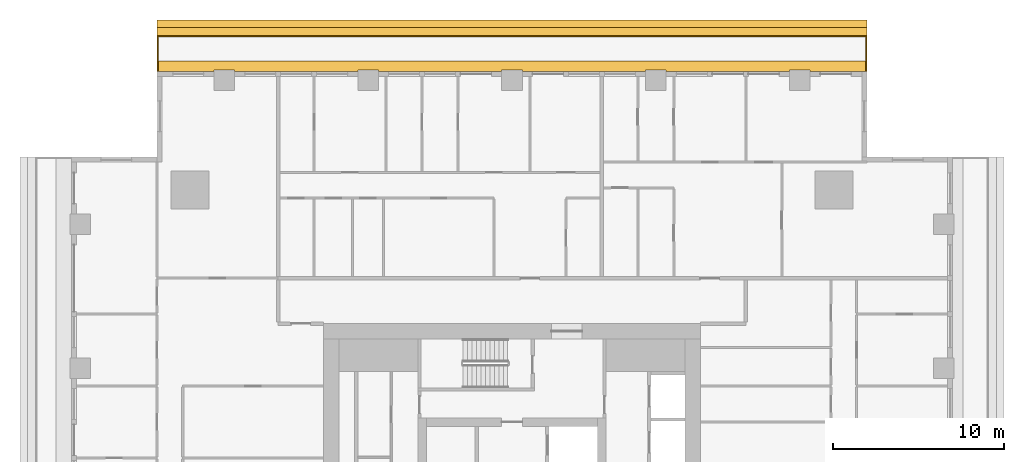
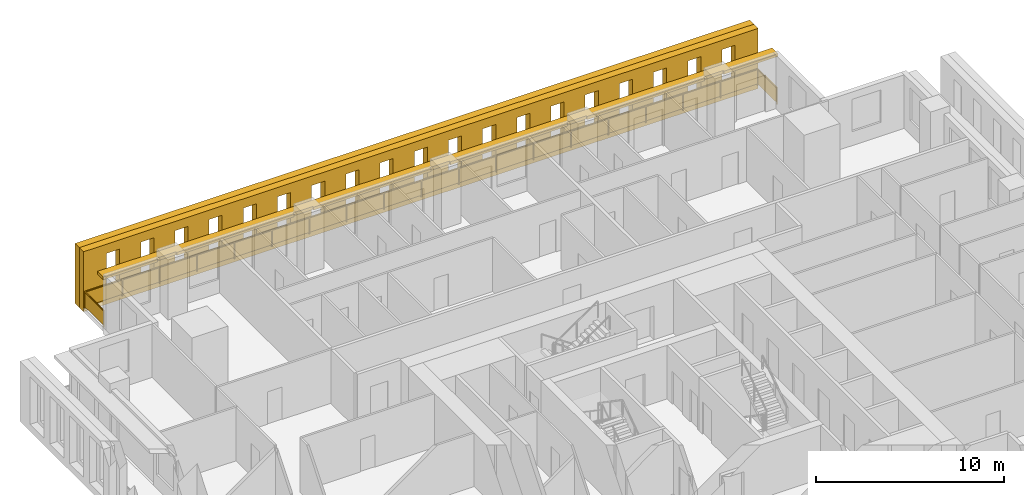
# One storey, part 15 of 15: 3 shading devices, 1 railing.
"""IFC4 building model written with IfcOpenShell, lengths in metres."""

from ifc_helpers import new_model, si_unit, direction, frame, origin, origin_2d, place, context, subcontext, project, spatial, polyline, rectangle, outline, extrude, material, layer, layer_set, type_object, element, save


model = new_model("IFC4")

# Units and contexts
model_context = context("Model", 3, precision=1e-05, world=origin(), true_north=direction((0.0, 1.0)))
body_context = subcontext(model_context, "Body", "Model", "MODEL_VIEW")
ifc_project = project(units=[si_unit("LENGTHUNIT", "METRE"), si_unit("AREAUNIT", "SQUARE_METRE"), si_unit("VOLUMEUNIT", "CUBIC_METRE"), si_unit("PLANEANGLEUNIT", "RADIAN"), si_unit("MASSUNIT", "GRAM", prefix="KILO")], contexts=[model_context])

# Site, building, storey
site_placement = place(None, origin())
site = spatial("IfcSite", under=ifc_project, at=site_placement, CompositionType="ELEMENT")
building_placement = place(site_placement, origin())
building = spatial("IfcBuilding", under=site, at=building_placement, Name="Khepri Terraces", CompositionType="ELEMENT")
storey_placement = place(building_placement, frame((0.0, 0.0, 260.10009765625)))
storey = spatial("IfcBuildingStorey", under=building, at=storey_placement, Name="L62", CompositionType="ELEMENT", Elevation=260.10009765625)

# Railing
ifc_material_1 = material(Name="Stainless steel grade 316", Category="steel")
railing_type = type_object("IfcRailingType", Name="GRD-BAL-1100", PredefinedType="GUARDRAIL", material=ifc_material_1)
railing_placement = place(storey_placement, frame((20.669921875, 25.719970703125, 0.0)))
element("IfcRailing", 1, at=railing_placement, inside=storey, type_object=railing_type, Name="Balcony guard L62 N", PredefinedType="GUARDRAIL", context=body_context, shape_type="SweptSolid", body=[
    extrude(rectangle(XDim=0.050048828125, YDim=0.06005859375, at=origin_2d()), frame((0.0, 0.0, 1.070068359375), z_axis=(0.0, 1.0, 0.0), x_axis=(-1.0, 0.0, 0.0)), (0.0, 0.0, 1.0), 2.050048828125),
    extrude(rectangle(XDim=2.0, YDim=0.011962890625, at=origin_2d()), frame((0.0, 1.02490234375, 0.10009765625), z_axis=(0.0, 0.0, 1.0), x_axis=(0.0, 1.0, 0.0)), (0.0, 0.0, 1.0), 0.93994140625),
    extrude(rectangle(XDim=0.050048828125, YDim=0.06005859375, at=origin_2d()), frame((0.0, 2.050048828125, 1.070068359375), z_axis=(-1.0, 0.0, 0.0), x_axis=(0.0, -1.0, 0.0)), (0.0, 0.0, 1.0), 41.33984375),
    extrude(rectangle(XDim=2.24658203125, YDim=0.011962890625, at=origin_2d()), frame((-1.1484375, 2.050048828125, 0.10009765625), z_axis=(0.0, 0.0, 1.0), x_axis=(-1.0, 0.0, 0.0)), (0.0, 0.0, 1.0), 0.93994140625),
    extrude(rectangle(XDim=2.24658203125, YDim=0.011962890625, at=origin_2d()), frame((-3.445068359375, 2.050048828125, 0.10009765625), z_axis=(0.0, 0.0, 1.0), x_axis=(-1.0, 0.0, 0.0)), (0.0, 0.0, 1.0), 0.93994140625),
    extrude(rectangle(XDim=2.24658203125, YDim=0.011962890625, at=origin_2d()), frame((-5.74169921875, 2.050048828125, 0.10009765625), z_axis=(0.0, 0.0, 1.0), x_axis=(-1.0, 0.0, 0.0)), (0.0, 0.0, 1.0), 0.93994140625),
    extrude(rectangle(XDim=2.24658203125, YDim=0.011962890625, at=origin_2d()), frame((-8.038330078125, 2.050048828125, 0.10009765625), z_axis=(0.0, 0.0, 1.0), x_axis=(-1.0, 0.0, 0.0)), (0.0, 0.0, 1.0), 0.93994140625),
    extrude(rectangle(XDim=2.24658203125, YDim=0.011962890625, at=origin_2d()), frame((-10.3349609375, 2.050048828125, 0.10009765625), z_axis=(0.0, 0.0, 1.0), x_axis=(-1.0, 0.0, 0.0)), (0.0, 0.0, 1.0), 0.93994140625),
    extrude(rectangle(XDim=2.24658203125, YDim=0.011962890625, at=origin_2d()), frame((-12.631591796875, 2.050048828125, 0.10009765625), z_axis=(0.0, 0.0, 1.0), x_axis=(-1.0, 0.0, 0.0)), (0.0, 0.0, 1.0), 0.93994140625),
    extrude(rectangle(XDim=2.24658203125, YDim=0.011962890625, at=origin_2d()), frame((-14.92822265625, 2.050048828125, 0.10009765625), z_axis=(0.0, 0.0, 1.0), x_axis=(-1.0, 0.0, 0.0)), (0.0, 0.0, 1.0), 0.93994140625),
    extrude(rectangle(XDim=2.24658203125, YDim=0.011962890625, at=origin_2d()), frame((-17.224853515625, 2.050048828125, 0.10009765625), z_axis=(0.0, 0.0, 1.0), x_axis=(-1.0, 0.0, 0.0)), (0.0, 0.0, 1.0), 0.93994140625),
    extrude(rectangle(XDim=2.24658203125, YDim=0.011962890625, at=origin_2d()), frame((-19.521484375, 2.050048828125, 0.10009765625), z_axis=(0.0, 0.0, 1.0), x_axis=(-1.0, 0.0, 0.0)), (0.0, 0.0, 1.0), 0.93994140625),
    extrude(rectangle(XDim=2.24658203125, YDim=0.011962890625, at=origin_2d()), frame((-21.818359375, 2.050048828125, 0.10009765625), z_axis=(0.0, 0.0, 1.0), x_axis=(-1.0, 0.0, 0.0)), (0.0, 0.0, 1.0), 0.93994140625),
    extrude(rectangle(XDim=2.24658203125, YDim=0.011962890625, at=origin_2d()), frame((-24.114990234375, 2.050048828125, 0.10009765625), z_axis=(0.0, 0.0, 1.0), x_axis=(-1.0, 0.0, 0.0)), (0.0, 0.0, 1.0), 0.93994140625),
    extrude(rectangle(XDim=2.24658203125, YDim=0.011962890625, at=origin_2d()), frame((-26.41162109375, 2.050048828125, 0.10009765625), z_axis=(0.0, 0.0, 1.0), x_axis=(-1.0, 0.0, 0.0)), (0.0, 0.0, 1.0), 0.93994140625),
    extrude(rectangle(XDim=2.24658203125, YDim=0.011962890625, at=origin_2d()), frame((-28.708251953125, 2.050048828125, 0.10009765625), z_axis=(0.0, 0.0, 1.0), x_axis=(-1.0, 0.0, 0.0)), (0.0, 0.0, 1.0), 0.93994140625),
    extrude(rectangle(XDim=2.24658203125, YDim=0.011962890625, at=origin_2d()), frame((-31.0048828125, 2.050048828125, 0.10009765625), z_axis=(0.0, 0.0, 1.0), x_axis=(-1.0, 0.0, 0.0)), (0.0, 0.0, 1.0), 0.93994140625),
    extrude(rectangle(XDim=2.24658203125, YDim=0.011962890625, at=origin_2d()), frame((-33.301513671875, 2.050048828125, 0.10009765625), z_axis=(0.0, 0.0, 1.0), x_axis=(-1.0, 0.0, 0.0)), (0.0, 0.0, 1.0), 0.93994140625),
    extrude(rectangle(XDim=2.24658203125, YDim=0.011962890625, at=origin_2d()), frame((-35.59814453125, 2.050048828125, 0.10009765625), z_axis=(0.0, 0.0, 1.0), x_axis=(-1.0, 0.0, 0.0)), (0.0, 0.0, 1.0), 0.93994140625),
    extrude(rectangle(XDim=2.24658203125, YDim=0.011962890625, at=origin_2d()), frame((-37.894775390625, 2.050048828125, 0.10009765625), z_axis=(0.0, 0.0, 1.0), x_axis=(-1.0, 0.0, 0.0)), (0.0, 0.0, 1.0), 0.93994140625),
    extrude(rectangle(XDim=2.24658203125, YDim=0.011962890625, at=origin_2d()), frame((-40.19140625, 2.050048828125, 0.10009765625), z_axis=(0.0, 0.0, 1.0), x_axis=(-1.0, 0.0, 0.0)), (0.0, 0.0, 1.0), 0.93994140625),
    extrude(rectangle(XDim=0.050048828125, YDim=0.06005859375, at=origin_2d()), frame((-41.33984375, 2.050048828125, 1.070068359375), z_axis=(0.0, -1.0, 0.0), x_axis=(1.0, 0.0, 0.0)), (0.0, 0.0, 1.0), 2.050048828125),
    extrude(rectangle(XDim=2.0, YDim=0.011962890625, at=origin_2d()), frame((-41.33984375, 1.02490234375, 0.10009765625), z_axis=(0.0, 0.0, 1.0), x_axis=(0.0, -1.0, 0.0)), (0.0, 0.0, 1.0), 0.93994140625),
    extrude(rectangle(XDim=0.050048828125, YDim=0.050048828125, at=origin_2d()), origin(), (0.0, 0.0, 1.0), 1.0400390625),
    extrude(rectangle(XDim=0.050048828125, YDim=0.050048828125, at=origin_2d()), frame((0.0, 2.050048828125, 0.0)), (0.0, 0.0, 1.0), 1.0400390625),
    extrude(rectangle(XDim=0.050048828125, YDim=0.050048828125, at=origin_2d()), frame((-2.296630859375, 2.050048828125, 0.0)), (0.0, 0.0, 1.0), 1.0400390625),
    extrude(rectangle(XDim=0.050048828125, YDim=0.050048828125, at=origin_2d()), frame((-4.59326171875, 2.050048828125, 0.0)), (0.0, 0.0, 1.0), 1.0400390625),
    extrude(rectangle(XDim=0.050048828125, YDim=0.050048828125, at=origin_2d()), frame((-6.889892578125, 2.050048828125, 0.0)), (0.0, 0.0, 1.0), 1.0400390625),
    extrude(rectangle(XDim=0.050048828125, YDim=0.050048828125, at=origin_2d()), frame((-9.1865234375, 2.050048828125, 0.0)), (0.0, 0.0, 1.0), 1.0400390625),
    extrude(rectangle(XDim=0.050048828125, YDim=0.050048828125, at=origin_2d()), frame((-11.4833984375, 2.050048828125, 0.0)), (0.0, 0.0, 1.0), 1.0400390625),
    extrude(rectangle(XDim=0.050048828125, YDim=0.050048828125, at=origin_2d()), frame((-13.780029296875, 2.050048828125, 0.0)), (0.0, 0.0, 1.0), 1.0400390625),
    extrude(rectangle(XDim=0.050048828125, YDim=0.050048828125, at=origin_2d()), frame((-16.07666015625, 2.050048828125, 0.0)), (0.0, 0.0, 1.0), 1.0400390625),
    extrude(rectangle(XDim=0.050048828125, YDim=0.050048828125, at=origin_2d()), frame((-18.373291015625, 2.050048828125, 0.0)), (0.0, 0.0, 1.0), 1.0400390625),
    extrude(rectangle(XDim=0.050048828125, YDim=0.050048828125, at=origin_2d()), frame((-20.669921875, 2.050048828125, 0.0)), (0.0, 0.0, 1.0), 1.0400390625),
    extrude(rectangle(XDim=0.050048828125, YDim=0.050048828125, at=origin_2d()), frame((-22.966552734375, 2.050048828125, 0.0)), (0.0, 0.0, 1.0), 1.0400390625),
    extrude(rectangle(XDim=0.050048828125, YDim=0.050048828125, at=origin_2d()), frame((-25.26318359375, 2.050048828125, 0.0)), (0.0, 0.0, 1.0), 1.0400390625),
    extrude(rectangle(XDim=0.050048828125, YDim=0.050048828125, at=origin_2d()), frame((-27.559814453125, 2.050048828125, 0.0)), (0.0, 0.0, 1.0), 1.0400390625),
    extrude(rectangle(XDim=0.050048828125, YDim=0.050048828125, at=origin_2d()), frame((-29.8564453125, 2.050048828125, 0.0)), (0.0, 0.0, 1.0), 1.0400390625),
    extrude(rectangle(XDim=0.050048828125, YDim=0.050048828125, at=origin_2d()), frame((-32.1533203125, 2.050048828125, 0.0)), (0.0, 0.0, 1.0), 1.0400390625),
    extrude(rectangle(XDim=0.050048828125, YDim=0.050048828125, at=origin_2d()), frame((-34.449951171875, 2.050048828125, 0.0)), (0.0, 0.0, 1.0), 1.0400390625),
    extrude(rectangle(XDim=0.050048828125, YDim=0.050048828125, at=origin_2d()), frame((-36.74658203125, 2.050048828125, 0.0)), (0.0, 0.0, 1.0), 1.0400390625),
    extrude(rectangle(XDim=0.050048828125, YDim=0.050048828125, at=origin_2d()), frame((-39.043212890625, 2.050048828125, 0.0)), (0.0, 0.0, 1.0), 1.0400390625),
    extrude(rectangle(XDim=0.050048828125, YDim=0.050048828125, at=origin_2d()), frame((-41.33984375, 2.050048828125, 0.0)), (0.0, 0.0, 1.0), 1.0400390625),
    extrude(rectangle(XDim=0.050048828125, YDim=0.050048828125, at=origin_2d()), frame((-41.33984375, 0.0, 0.0)), (0.0, 0.0, 1.0), 1.0400390625),
])

# Shading devices
ifc_material_2 = material(Name="Precast concrete C50/60 warm stone", Category="masonry")
shading_device_type_1 = type_object("IfcShadingDeviceType", Name="SCR-CELL-INNER-450", PredefinedType="USERDEFINED", material=ifc_material_2)
shading_device_1_placement = place(storey_placement, frame((20.719970703125, 27.820068359375, -0.25), z_axis=(0.0, 1.0, 0.0), x_axis=(-1.0, 0.0, 0.0)))
element("IfcShadingDevice", 2, at=shading_device_1_placement, inside=storey, type_object=shading_device_type_1, Name="Cell screen L62 N in", ObjectType="SCREEN", PredefinedType="USERDEFINED", context=body_context, shape_type="SweptSolid", body=[
    extrude(outline(polyline([(0.0, 0.0), (41.43994140625, 0.0), (41.43994140625, 3.89990234375), (0.0, 3.89990234375), (0.0, 0.0)]), holes=[polyline([(1.41845703125, 0.699951171875), (2.2216796875, 0.699951171875), (2.2216796875, 3.300048828125), (1.41845703125, 3.300048828125), (1.41845703125, 0.699951171875)]), polyline([(3.518310546875, 0.699951171875), (4.321533203125, 0.699951171875), (4.321533203125, 3.300048828125), (3.518310546875, 3.300048828125), (3.518310546875, 0.699951171875)]), polyline([(5.618408203125, 0.699951171875), (6.421630859375, 0.699951171875), (6.421630859375, 3.300048828125), (5.618408203125, 3.300048828125), (5.618408203125, 0.699951171875)]), polyline([(7.718505859375, 0.699951171875), (8.521484375, 0.699951171875), (8.521484375, 3.300048828125), (7.718505859375, 3.300048828125), (7.718505859375, 0.699951171875)]), polyline([(9.818359375, 0.699951171875), (10.62158203125, 0.699951171875), (10.62158203125, 3.300048828125), (9.818359375, 3.300048828125), (9.818359375, 0.699951171875)]), polyline([(11.91845703125, 0.699951171875), (12.7216796875, 0.699951171875), (12.7216796875, 3.300048828125), (11.91845703125, 3.300048828125), (11.91845703125, 0.699951171875)]), polyline([(14.018310546875, 0.699951171875), (14.821533203125, 0.699951171875), (14.821533203125, 3.300048828125), (14.018310546875, 3.300048828125), (14.018310546875, 0.699951171875)]), polyline([(16.118408203125, 0.699951171875), (16.921630859375, 0.699951171875), (16.921630859375, 3.300048828125), (16.118408203125, 3.300048828125), (16.118408203125, 0.699951171875)]), polyline([(18.218505859375, 0.699951171875), (19.021484375, 0.699951171875), (19.021484375, 3.300048828125), (18.218505859375, 3.300048828125), (18.218505859375, 0.699951171875)]), polyline([(20.318359375, 0.699951171875), (21.12158203125, 0.699951171875), (21.12158203125, 3.300048828125), (20.318359375, 3.300048828125), (20.318359375, 0.699951171875)]), polyline([(22.41845703125, 0.699951171875), (23.2216796875, 0.699951171875), (23.2216796875, 3.300048828125), (22.41845703125, 3.300048828125), (22.41845703125, 0.699951171875)]), polyline([(24.518310546875, 0.699951171875), (25.321533203125, 0.699951171875), (25.321533203125, 3.300048828125), (24.518310546875, 3.300048828125), (24.518310546875, 0.699951171875)]), polyline([(26.618408203125, 0.699951171875), (27.421630859375, 0.699951171875), (27.421630859375, 3.300048828125), (26.618408203125, 3.300048828125), (26.618408203125, 0.699951171875)]), polyline([(28.718505859375, 0.699951171875), (29.521484375, 0.699951171875), (29.521484375, 3.300048828125), (28.718505859375, 3.300048828125), (28.718505859375, 0.699951171875)]), polyline([(30.818359375, 0.699951171875), (31.62158203125, 0.699951171875), (31.62158203125, 3.300048828125), (30.818359375, 3.300048828125), (30.818359375, 0.699951171875)]), polyline([(32.91845703125, 0.699951171875), (33.7216796875, 0.699951171875), (33.7216796875, 3.300048828125), (32.91845703125, 3.300048828125), (32.91845703125, 0.699951171875)]), polyline([(35.018310546875, 0.699951171875), (35.821533203125, 0.699951171875), (35.821533203125, 3.300048828125), (35.018310546875, 3.300048828125), (35.018310546875, 0.699951171875)]), polyline([(37.118408203125, 0.699951171875), (37.921630859375, 0.699951171875), (37.921630859375, 3.300048828125), (37.118408203125, 3.300048828125), (37.118408203125, 0.699951171875)]), polyline([(39.218505859375, 0.699951171875), (40.021484375, 0.699951171875), (40.021484375, 3.300048828125), (39.218505859375, 3.300048828125), (39.218505859375, 0.699951171875)])]), origin(), (0.0, 0.0, 1.0), 0.449951171875),
])
shading_device_type_2 = type_object("IfcShadingDeviceType", Name="SCR-CELL-OUTER-450", PredefinedType="USERDEFINED", material=ifc_material_2)
shading_device_2_placement = place(storey_placement, frame((20.719970703125, 28.27001953125, -0.25), z_axis=(0.0, 1.0, 0.0), x_axis=(-1.0, 0.0, 0.0)))
element("IfcShadingDevice", 3, at=shading_device_2_placement, inside=storey, type_object=shading_device_type_2, Name="Cell screen L62 N out", ObjectType="SCREEN", PredefinedType="USERDEFINED", context=body_context, shape_type="SweptSolid", body=[
    extrude(outline(polyline([(0.0, 0.0), (41.43994140625, 0.0), (41.43994140625, 3.89990234375), (0.0, 3.89990234375), (0.0, 0.0)]), holes=[polyline([(1.068359375, 0.449951171875), (2.571533203125, 0.449951171875), (2.571533203125, 3.550048828125), (1.068359375, 3.550048828125), (1.068359375, 0.449951171875)]), polyline([(3.16845703125, 0.449951171875), (4.671630859375, 0.449951171875), (4.671630859375, 3.550048828125), (3.16845703125, 3.550048828125), (3.16845703125, 0.449951171875)]), polyline([(5.268310546875, 0.449951171875), (6.771484375, 0.449951171875), (6.771484375, 3.550048828125), (5.268310546875, 3.550048828125), (5.268310546875, 0.449951171875)]), polyline([(7.368408203125, 0.449951171875), (8.87158203125, 0.449951171875), (8.87158203125, 3.550048828125), (7.368408203125, 3.550048828125), (7.368408203125, 0.449951171875)]), polyline([(9.468505859375, 0.449951171875), (10.9716796875, 0.449951171875), (10.9716796875, 3.550048828125), (9.468505859375, 3.550048828125), (9.468505859375, 0.449951171875)]), polyline([(11.568359375, 0.449951171875), (13.071533203125, 0.449951171875), (13.071533203125, 3.550048828125), (11.568359375, 3.550048828125), (11.568359375, 0.449951171875)]), polyline([(13.66845703125, 0.449951171875), (15.171630859375, 0.449951171875), (15.171630859375, 3.550048828125), (13.66845703125, 3.550048828125), (13.66845703125, 0.449951171875)]), polyline([(15.768310546875, 0.449951171875), (17.271484375, 0.449951171875), (17.271484375, 3.550048828125), (15.768310546875, 3.550048828125), (15.768310546875, 0.449951171875)]), polyline([(17.868408203125, 0.449951171875), (19.37158203125, 0.449951171875), (19.37158203125, 3.550048828125), (17.868408203125, 3.550048828125), (17.868408203125, 0.449951171875)]), polyline([(19.968505859375, 0.449951171875), (21.4716796875, 0.449951171875), (21.4716796875, 3.550048828125), (19.968505859375, 3.550048828125), (19.968505859375, 0.449951171875)]), polyline([(22.068359375, 0.449951171875), (23.571533203125, 0.449951171875), (23.571533203125, 3.550048828125), (22.068359375, 3.550048828125), (22.068359375, 0.449951171875)]), polyline([(24.16845703125, 0.449951171875), (25.671630859375, 0.449951171875), (25.671630859375, 3.550048828125), (24.16845703125, 3.550048828125), (24.16845703125, 0.449951171875)]), polyline([(26.268310546875, 0.449951171875), (27.771484375, 0.449951171875), (27.771484375, 3.550048828125), (26.268310546875, 3.550048828125), (26.268310546875, 0.449951171875)]), polyline([(28.368408203125, 0.449951171875), (29.87158203125, 0.449951171875), (29.87158203125, 3.550048828125), (28.368408203125, 3.550048828125), (28.368408203125, 0.449951171875)]), polyline([(30.468505859375, 0.449951171875), (31.9716796875, 0.449951171875), (31.9716796875, 3.550048828125), (30.468505859375, 3.550048828125), (30.468505859375, 0.449951171875)]), polyline([(32.568359375, 0.449951171875), (34.071533203125, 0.449951171875), (34.071533203125, 3.550048828125), (32.568359375, 3.550048828125), (32.568359375, 0.449951171875)]), polyline([(34.66845703125, 0.449951171875), (36.171630859375, 0.449951171875), (36.171630859375, 3.550048828125), (34.66845703125, 3.550048828125), (34.66845703125, 0.449951171875)]), polyline([(36.768310546875, 0.449951171875), (38.271484375, 0.449951171875), (38.271484375, 3.550048828125), (36.768310546875, 3.550048828125), (36.768310546875, 0.449951171875)]), polyline([(38.868408203125, 0.449951171875), (40.37158203125, 0.449951171875), (40.37158203125, 3.550048828125), (38.868408203125, 3.550048828125), (38.868408203125, 0.449951171875)])]), origin(), (0.0, 0.0, 1.0), 0.449951171875),
])
ifc_layer = layer(ifc_material_2, 0.199951171875, Name="Precast concrete C50/60 warm stone", Category="masonry")
ifc_layer_set = layer_set([ifc_layer], Name="Precast concrete C50/60 warm stone")
shading_device_type_3 = type_object("IfcShadingDeviceType", Name="SSH-BAND-STONE-200-N", PredefinedType="USERDEFINED", material=ifc_layer_set)
shading_device_3_placement = place(storey_placement, frame((0.0, 0.0, 3.099853515625)))
element("IfcShadingDevice", 4, at=shading_device_3_placement, inside=storey, type_object=shading_device_type_3, Name="Sunshade band L62 N", ObjectType="SUNSHADE", PredefinedType="USERDEFINED", context=body_context, shape_type="SweptSolid", body=[
    extrude(outline(polyline([(17.39990234375, 25.719970703125), (20.719970703125, 25.719970703125), (20.719970703125, 26.320068359375), (-20.719970703125, 26.320068359375), (-20.719970703125, 25.719970703125), (-17.39990234375, 25.719970703125), (-17.39990234375, 25.800048828125), (-16.199951171875, 25.800048828125), (-16.199951171875, 25.719970703125), (-9.0, 25.719970703125), (-9.0, 25.800048828125), (-7.800048828125, 25.800048828125), (-7.800048828125, 25.719970703125), (-0.60009765625, 25.719970703125), (-0.60009765625, 25.800048828125), (0.60009765625, 25.800048828125), (0.60009765625, 25.719970703125), (7.800048828125, 25.719970703125), (7.800048828125, 25.800048828125), (9.0, 25.800048828125), (9.0, 25.719970703125), (16.199951171875, 25.719970703125), (16.199951171875, 25.800048828125), (17.39990234375, 25.800048828125), (17.39990234375, 25.719970703125)])), origin(), (0.0, 0.0, 1.0), 0.199951171875),
])

save(model, "model.ifc")
